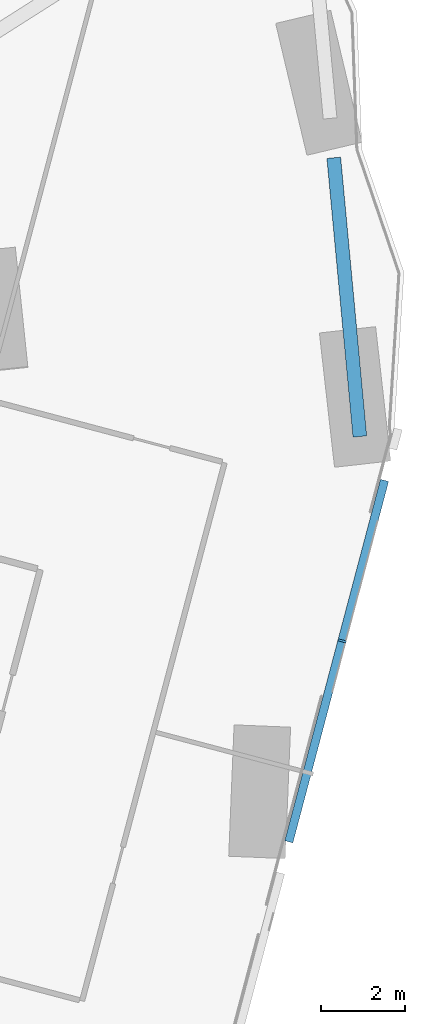
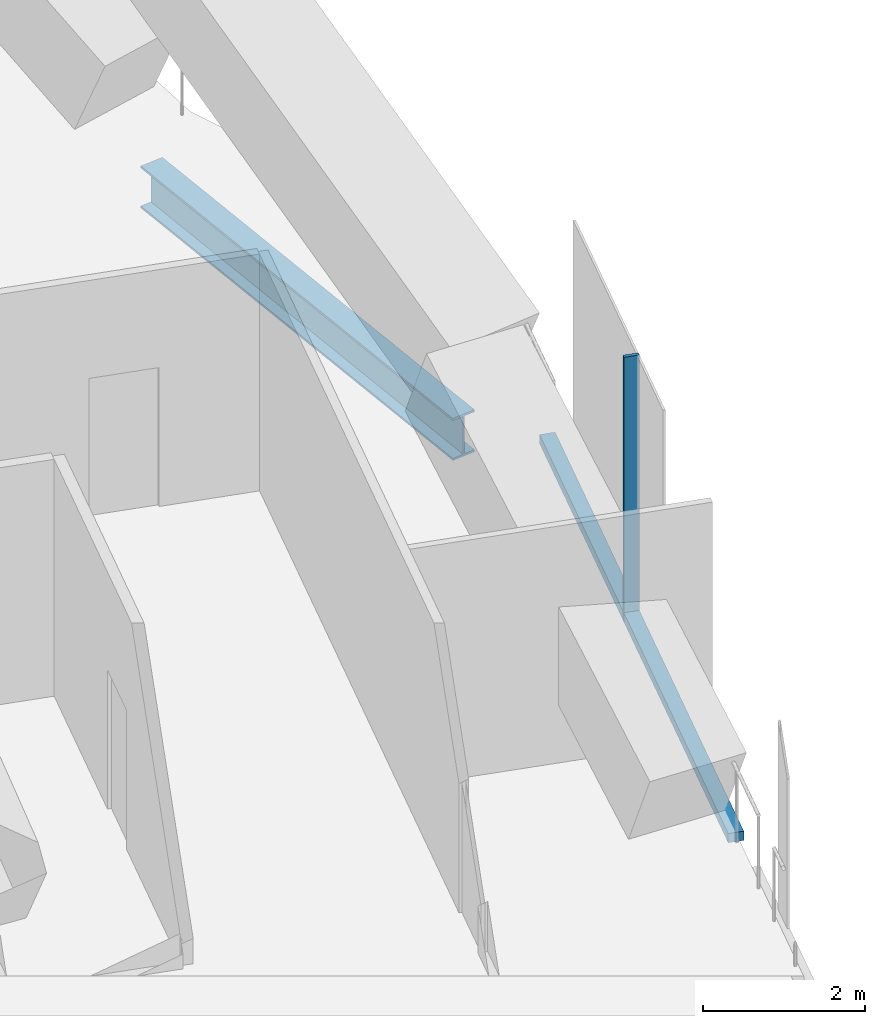
# One storey, part 11 of 37: 2 members, 1 beam, 1 element without a shape of its own.
"""IFC4 building model written with IfcOpenShell, lengths in metres."""

from ifc_helpers import new_model, si_unit, direction, frame, origin, origin_2d, place, context, subcontext, project, spatial, rectangle, i_section, extrude, material, material_profile, profile_set, type_object, element, aggregate, save


model = new_model("IFC4")

# Units and contexts
model_context = context("Model", 3, precision=1e-05, world=origin(), true_north=direction((0.0, 1.0)))
body_context = subcontext(model_context, "Body", "Model", "MODEL_VIEW")
ifc_project = project(units=[si_unit("LENGTHUNIT", "METRE"), si_unit("AREAUNIT", "SQUARE_METRE"), si_unit("VOLUMEUNIT", "CUBIC_METRE"), si_unit("PLANEANGLEUNIT", "RADIAN"), si_unit("MASSUNIT", "GRAM", prefix="KILO")], contexts=[model_context])

# Site, building, storey
site_placement = place(None, origin())
site = spatial("IfcSite", under=ifc_project, at=site_placement, CompositionType="ELEMENT")
building_placement = place(site_placement, origin())
building = spatial("IfcBuilding", under=site, at=building_placement, Name="Orlundy Tower", CompositionType="ELEMENT")
storey_placement = place(building_placement, frame((0.0, 0.0, 119.699951171875)))
storey = spatial("IfcBuildingStorey", under=building, at=storey_placement, Name="L30", CompositionType="ELEMENT", Elevation=119.699951171875)

# Beam
ifc_material_1 = material(Name="Steel ASTM A992 Gr 50", Category="steel")
ifc_material_profile_1 = material_profile(ifc_material_1, i_section(OverallWidth=0.3291015625, OverallDepth=0.635009765625, WebThickness=0.017822265625, FlangeThickness=0.031005859375, at=origin_2d()), Name="W24X162")
ifc_profile_set_1 = profile_set([ifc_material_profile_1], Name="Steel ASTM A992 Gr 50")
beam_type = type_object("IfcBeamType", Name="CANTILEVER GIRDER beam W24X162", PredefinedType="BEAM", material=ifc_profile_set_1)
beam_placement = place(storey_placement, frame((59.72705078125, 1.095947265625, -0.717529296875), z_axis=(0.093130273873, -0.99565393189, 0.0), x_axis=(0.99565393189, 0.093130273873, 0.0)))
element("IfcBeam", 1, at=beam_placement, inside=storey, type_object=beam_type, Name="Back-span girder C-A5-5 L30", PredefinedType="BEAM", context=body_context, shape_type="SweptSolid", body=[
    extrude(i_section(OverallWidth=0.3291015625, OverallDepth=0.635009765625, WebThickness=0.017822265625, FlangeThickness=0.031005859375, at=origin_2d()), origin(), (0.0, 0.0, 1.0), 6.684814453125),
])

# Curtain wall, members
ifc_material_2 = material(Name="Aluminium bronze anodised", Category="aluminium")
curtain_wall_type = type_object("IfcCurtainWallType", Name="CW5 wall", PredefinedType="NOTDEFINED", material=ifc_material_2)
curtain_wall_placement = place(storey_placement, origin())
curtain_wall = element("IfcCurtainWall", 2, at=curtain_wall_placement, inside=storey, type_object=curtain_wall_type, Name="CW5 run 022", PredefinedType="NOTDEFINED")
ifc_material_3 = material(Name="Aluminium bronze anodised", Category="aluminium")
ifc_material_profile_2 = material_profile(ifc_material_3, rectangle(XDim=0.199951171875, YDim=0.050048828125, at=origin_2d()), Name="CW5 mullion 50x200")
ifc_profile_set_2 = profile_set([ifc_material_profile_2], Name="Aluminium bronze anodised")
member_type_1 = type_object("IfcMemberType", Name="CW5 mullion 50x200", PredefinedType="MULLION", material=ifc_profile_set_2)
member_1_placement = place(storey_placement, frame((59.924560546875, -10.43896484375, -0.39990234375), z_axis=(0.0, 0.0, 1.0), x_axis=(0.966679239296, -0.255990719194, 0.0)))
member_1 = element("IfcMember", 3, at=member_1_placement, type_object=member_type_1, Name="CW5 mullion 35", PredefinedType="MULLION", context=body_context, shape_type="SweptSolid", body=[
    extrude(rectangle(XDim=0.199951171875, YDim=0.050048828125, at=origin_2d()), origin(), (0.0, 0.0, 1.0), 4.0),
])
ifc_material_4 = material(Name="Aluminium bronze anodised", Category="aluminium")
ifc_material_profile_3 = material_profile(ifc_material_4, rectangle(XDim=0.199951171875, YDim=0.139892578125, at=origin_2d()), Name="CW5 transom 200x140")
ifc_profile_set_3 = profile_set([ifc_material_profile_3], Name="Aluminium bronze anodised")
member_type_2 = type_object("IfcMemberType", Name="CW5 transom 200x140", PredefinedType="USERDEFINED", material=ifc_profile_set_3)
member_2_placement = place(storey_placement, frame((60.939208984375, -6.60791015625, -0.329833984375), z_axis=(-0.255994042771, -0.966678359159, 0.0), x_axis=(0.966678359159, -0.255994042771, 0.0)))
member_2 = element("IfcMember", 4, at=member_2_placement, type_object=member_type_2, Name="CW5 transom", ObjectType="TRANSOM", PredefinedType="USERDEFINED", context=body_context, shape_type="SweptSolid", body=[
    extrude(rectangle(XDim=0.199951171875, YDim=0.139892578125, at=origin_2d()), origin(), (0.0, 0.0, 1.0), 8.926513671875),
])
aggregate(curtain_wall, [member_1, member_2])

save(model, "model.ifc")
